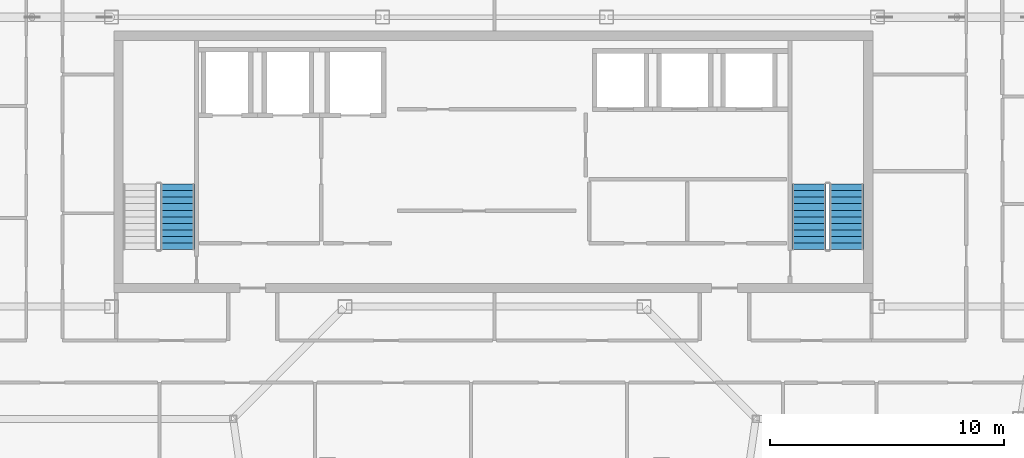
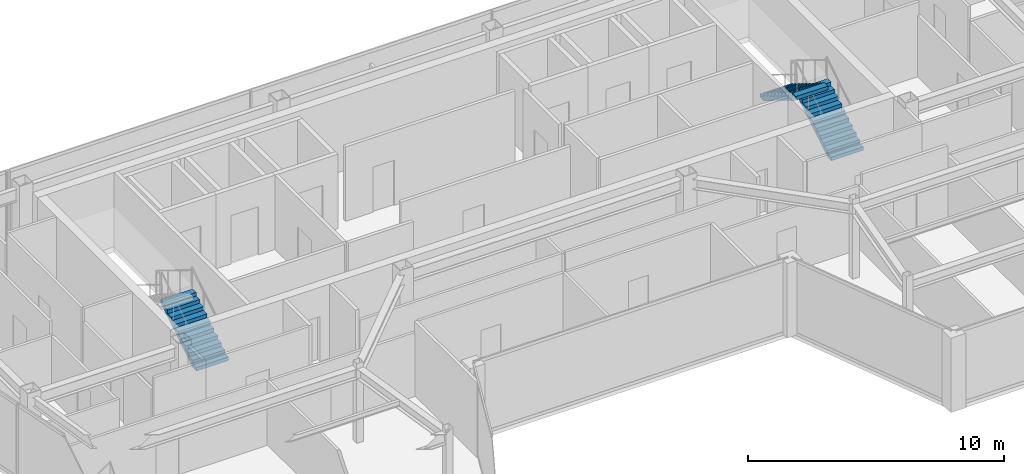
# One storey, part 21 of 23: 3 stair flights, 2 elements without a shape of their own.
"""IFC4 building model written with IfcOpenShell, lengths in metres."""

from ifc_helpers import new_model, si_unit, direction, frame, origin, place, context, subcontext, project, spatial, polyline, outline, extrude, material, type_object, element, aggregate, save


model = new_model("IFC4")

# Units and contexts
model_context = context("Model", 3, precision=1e-05, world=origin(), true_north=direction((0.0, 1.0)))
body_context = subcontext(model_context, "Body", "Model", "MODEL_VIEW")
ifc_project = project(units=[si_unit("LENGTHUNIT", "METRE"), si_unit("AREAUNIT", "SQUARE_METRE"), si_unit("VOLUMEUNIT", "CUBIC_METRE"), si_unit("PLANEANGLEUNIT", "RADIAN"), si_unit("MASSUNIT", "GRAM", prefix="KILO")], contexts=[model_context])

# Site, building, storey
site_placement = place(None, origin())
site = spatial("IfcSite", under=ifc_project, at=site_placement, CompositionType="ELEMENT")
building_placement = place(site_placement, origin())
building = spatial("IfcBuilding", under=site, at=building_placement, Name="Saevonmaru Cultural Tower", CompositionType="ELEMENT")
storey_placement = place(building_placement, frame((0.0, 0.0, 280.0)))
storey = spatial("IfcBuildingStorey", under=building, at=storey_placement, Name="L66", CompositionType="ELEMENT", Elevation=280.0)

# Stair, stair flight
ifc_material_1 = material(Name="Concrete C40/50", Category="concrete")
stair_type = type_object("IfcStairType", Name="STR-DOGLEG-RC", PredefinedType="HALF_TURN_STAIR", material=ifc_material_1)
stair_1_placement = place(storey_placement, origin())
stair_1 = element("IfcStair", 1, at=stair_1_placement, inside=storey, type_object=stair_type, Name="L66 Protected exit stair ST-1", PredefinedType="HALF_TURN_STAIR")
ifc_material_2 = material(Name="Precast concrete C40/50", Category="concrete")
stair_flight_type = type_object("IfcStairFlightType", Name="STF-PRECAST-180", PredefinedType="STRAIGHT", material=ifc_material_2)
stair_flight_1_placement = place(storey_placement, frame((16.425048828125, 44.85009765625, 0.0), z_axis=(0.0, 0.0, 1.0), x_axis=(0.0, 1.0, 0.0)))
stair_flight_1 = element("IfcStairFlight", 2, at=stair_flight_1_placement, type_object=stair_flight_type, Name="ST-1-L66 flight 1", NumberOfRisers=11, NumberOfTreads=10, PredefinedType="STRAIGHT", RiserHeight=0.172727273, TreadLength=0.28, context=body_context, shape_type="SweptSolid", body=[
    extrude(outline(polyline([(0.0, 0.0), (0.0, 0.172607421875), (0.280029296875, 0.172607421875), (0.280029296875, 0.345458984375), (0.56005859375, 0.345458984375), (0.56005859375, 0.51806640625), (0.840087890625, 0.51806640625), (0.840087890625, 0.69091796875), (1.1201171875, 0.69091796875), (1.1201171875, 0.863525390625), (1.39990234375, 0.863525390625), (1.39990234375, 1.036376953125), (1.679931640625, 1.036376953125), (1.679931640625, 1.208984375), (1.9599609375, 1.208984375), (1.9599609375, 1.3818359375), (2.239990234375, 1.3818359375), (2.239990234375, 1.554443359375), (2.52001953125, 1.554443359375), (2.52001953125, 1.727294921875), (2.800048828125, 1.727294921875), (2.800048828125, 1.89990234375), (2.800048828125, 1.551025390625), (0.285400390625, 0.0), (0.0, 0.0)])), frame((0.0, 0.72509765625, 0.0), z_axis=(0.0, -1.0, 0.0), x_axis=(1.0, 0.0, 0.0)), (0.0, 0.0, 1.0), 1.449951171875),
])
aggregate(stair_1, [stair_flight_1])

# Stair, stair flights
stair_2_placement = place(storey_placement, origin())
stair_2 = element("IfcStair", 3, at=stair_2_placement, inside=storey, type_object=stair_type, Name="L66 Protected exit stair ST-2", PredefinedType="HALF_TURN_STAIR")
stair_flight_2_placement = place(storey_placement, frame((45.074951171875, 44.85009765625, 0.0), z_axis=(0.0, 0.0, 1.0), x_axis=(0.0, 1.0, 0.0)))
stair_flight_2 = element("IfcStairFlight", 4, at=stair_flight_2_placement, type_object=stair_flight_type, Name="ST-2-L66 flight 1", NumberOfRisers=11, NumberOfTreads=10, PredefinedType="STRAIGHT", RiserHeight=0.172727273, TreadLength=0.28, context=body_context, shape_type="SweptSolid", body=[
    extrude(outline(polyline([(0.0, 0.0), (0.0, 0.172607421875), (0.280029296875, 0.172607421875), (0.280029296875, 0.345458984375), (0.56005859375, 0.345458984375), (0.56005859375, 0.51806640625), (0.840087890625, 0.51806640625), (0.840087890625, 0.69091796875), (1.1201171875, 0.69091796875), (1.1201171875, 0.863525390625), (1.39990234375, 0.863525390625), (1.39990234375, 1.036376953125), (1.679931640625, 1.036376953125), (1.679931640625, 1.208984375), (1.9599609375, 1.208984375), (1.9599609375, 1.3818359375), (2.239990234375, 1.3818359375), (2.239990234375, 1.554443359375), (2.52001953125, 1.554443359375), (2.52001953125, 1.727294921875), (2.800048828125, 1.727294921875), (2.800048828125, 1.89990234375), (2.800048828125, 1.551025390625), (0.285400390625, 0.0), (0.0, 0.0)])), frame((0.0, 0.72509765625, 0.0), z_axis=(0.0, -1.0, 0.0), x_axis=(1.0, 0.0, 0.0)), (0.0, 0.0, 1.0), 1.449951171875),
])
stair_flight_3_placement = place(storey_placement, frame((43.47509765625, 47.64990234375, 1.89990234375), z_axis=(0.0, 0.0, 1.0), x_axis=(0.0, -1.0, 0.0)))
stair_flight_3 = element("IfcStairFlight", 5, at=stair_flight_3_placement, type_object=stair_flight_type, Name="ST-2-L66 flight 2", NumberOfRisers=11, NumberOfTreads=10, PredefinedType="STRAIGHT", RiserHeight=0.172727273, TreadLength=0.28, context=body_context, shape_type="SweptSolid", body=[
    extrude(outline(polyline([(0.0, 0.0), (0.0, 0.172607421875), (0.280029296875, 0.172607421875), (0.280029296875, 0.345458984375), (0.56005859375, 0.345458984375), (0.56005859375, 0.51806640625), (0.840087890625, 0.51806640625), (0.840087890625, 0.69091796875), (1.1201171875, 0.69091796875), (1.1201171875, 0.863525390625), (1.39990234375, 0.863525390625), (1.39990234375, 1.036376953125), (1.679931640625, 1.036376953125), (1.679931640625, 1.208984375), (1.9599609375, 1.208984375), (1.9599609375, 1.3818359375), (2.239990234375, 1.3818359375), (2.239990234375, 1.554443359375), (2.52001953125, 1.554443359375), (2.52001953125, 1.727294921875), (2.800048828125, 1.727294921875), (2.800048828125, 1.89990234375), (2.800048828125, 1.551025390625), (0.285400390625, 0.0), (0.0, 0.0)])), frame((0.0, 0.72509765625, 0.0), z_axis=(0.0, -1.0, 0.0), x_axis=(1.0, 0.0, 0.0)), (0.0, 0.0, 1.0), 1.449951171875),
])
aggregate(stair_2, [stair_flight_2, stair_flight_3])

save(model, "model.ifc")
